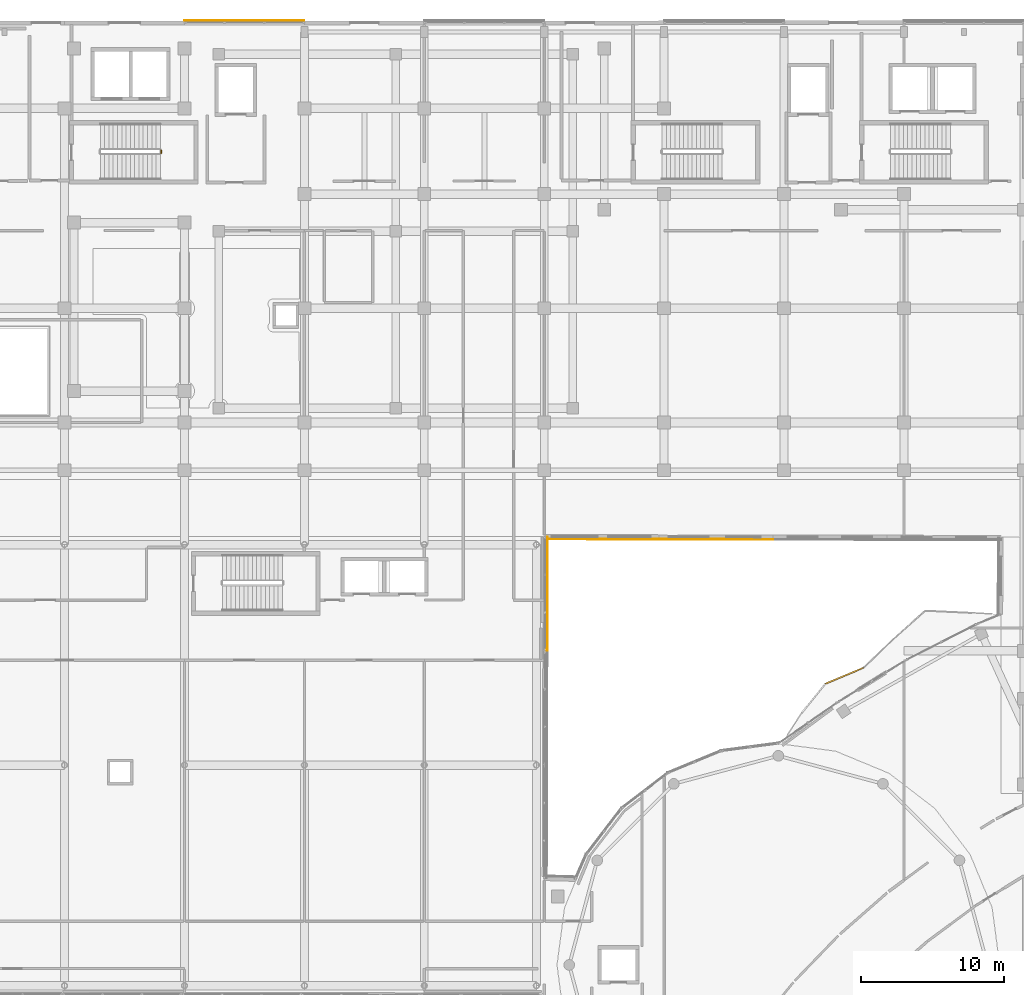
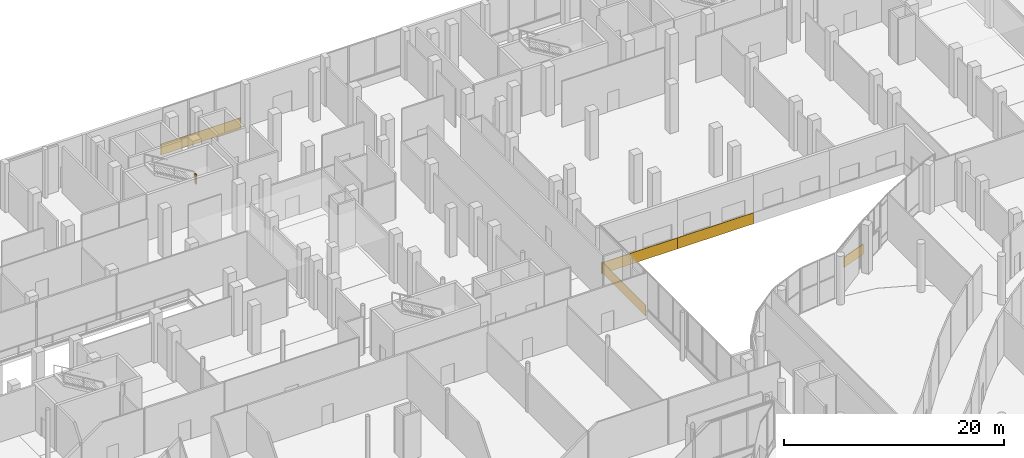
# One storey, part 154 of 158: 5 coverings, 1 railing.
"""IFC4 building model written with IfcOpenShell, lengths in metres."""

from ifc_helpers import new_model, si_unit, direction, frame, origin, origin_2d, place, context, subcontext, project, spatial, polyline, rectangle, outline, extrude, material, layer, layer_set, type_object, element, save


model = new_model("IFC4")

# Units and contexts
model_context = context("Model", 3, precision=1e-05, world=origin(), true_north=direction((0.0, 1.0)))
body_context = subcontext(model_context, "Body", "Model", "MODEL_VIEW")
ifc_project = project(units=[si_unit("LENGTHUNIT", "METRE"), si_unit("AREAUNIT", "SQUARE_METRE"), si_unit("VOLUMEUNIT", "CUBIC_METRE"), si_unit("PLANEANGLEUNIT", "RADIAN"), si_unit("MASSUNIT", "GRAM", prefix="KILO")], contexts=[model_context])

# Site, building, storey
site_placement = place(None, origin())
site = spatial("IfcSite", under=ifc_project, at=site_placement, CompositionType="ELEMENT")
building_placement = place(site_placement, origin())
building = spatial("IfcBuilding", under=site, at=building_placement, Name="Selatvlak General Hospital", CompositionType="ELEMENT")
storey_placement = place(building_placement, origin())
storey = spatial("IfcBuildingStorey", under=building, at=storey_placement, Name="L00", CompositionType="ELEMENT", Elevation=0.0)

# Coverings
ifc_material_1 = material(Name="PVDF aluminium fascia - oxide red", Category="aluminium")
ifc_layer_1 = layer(ifc_material_1, 0.070068359375, Name="PVDF aluminium fascia - oxide red", Category="aluminium")
ifc_layer_set_1 = layer_set([ifc_layer_1], Name="PVDF aluminium fascia - oxide red")
covering_type_1 = type_object("IfcCoveringType", Name="COV-RB-RED", PredefinedType="CLADDING", material=ifc_layer_set_1)
covering_1_placement = place(storey_placement, frame((103.946044921875, 74.81591796875, -0.41796875), z_axis=(0.0, 0.0, 1.0), x_axis=(-0.921241508574, -0.388991108999, 0.0)))
element("IfcCovering", 1, at=covering_1_placement, inside=storey, type_object=covering_type_1, Name="L00 De Stijl waving fascia streamer 086", PredefinedType="CLADDING", context=body_context, shape_type="SweptSolid", body=[
    extrude(outline(polyline([(0.0, 0.0), (2.897216796875, 0.14794921875), (2.897216796875, 1.287841796875), (0.0, 1.139892578125), (0.0, 0.0)])), frame((0.0, 0.03515625, 0.0), z_axis=(0.0, -1.0, 0.0), x_axis=(1.0, 0.0, 0.0)), (0.0, 0.0, 1.0), 0.070068359375),
])
ifc_material_2 = material(Name="White Bauhaus fair-faced cladding panel")
ifc_layer_2 = layer(ifc_material_2, 0.054931640625, Name="White Bauhaus fair-faced cladding panel")
ifc_layer_set_2 = layer_set([ifc_layer_2], Name="White Bauhaus fair-faced cladding panel")
covering_type_2 = type_object("IfcCoveringType", Name="COV-WHT1", PredefinedType="CLADDING", material=ifc_layer_set_2)
covering_2_placement = place(storey_placement, frame((60.60009765625, 120.1640625, -0.27978515625), z_axis=(0.0, 0.0, 1.0), x_axis=(1.0, 0.0, 0.0)))
element("IfcCovering", 2, at=covering_2_placement, inside=storey, type_object=covering_type_2, Name="L00 Bauhaus horizontal white spandrel band 0007", PredefinedType="CLADDING", context=body_context, shape_type="SweptSolid", body=[
    extrude(rectangle(XDim=8.39990234375, YDim=0.054931640625, at=origin_2d()), origin(), (0.0, 0.0, 1.0), 1.219970703125),
])
for number, where, z_axis, x_axis, name in (
    (3, (93.636962890625, 83.81298828125, -0.27978515625), (0.0, 0.0, 1.0), (-0.999998223472, 0.001884954476, 0.0), "L00 Bauhaus horizontal white spandrel band 0037"),
    (4, (85.652099609375, 83.827880859375, -0.27978515625), (0.0, 0.0, 1.0), (-0.999998223472, 0.001884954476, 0.0), "L00 Bauhaus horizontal white spandrel band 0038"),
):
    element("IfcCovering", number, at=place(storey_placement, frame(where, z_axis=z_axis, x_axis=x_axis)), inside=storey, type_object=covering_type_2, Name=name, PredefinedType="CLADDING", context=body_context, shape_type="SweptSolid", body=[
        extrude(rectangle(XDim=7.985107421875, YDim=0.054931640625, at=origin_2d()), origin(), (0.0, 0.0, 1.0), 1.219970703125),
    ])
covering_3_placement = place(storey_placement, frame((81.81494140625, 80.010009765625, -0.27978515625), z_axis=(0.0, 0.0, 1.0), x_axis=(-0.002513271477, -0.999996841728, 0.0)))
element("IfcCovering", 5, at=covering_3_placement, inside=storey, type_object=covering_type_2, Name="L00 Bauhaus horizontal white spandrel band 0039", PredefinedType="CLADDING", context=body_context, shape_type="SweptSolid", body=[
    extrude(rectangle(XDim=7.97998046875, YDim=0.054931640625, at=origin_2d()), origin(), (0.0, 0.0, 1.0), 1.219970703125),
])

# Railing
ifc_material_3 = material(Name="Stainless steel 316 stair guard", Category="steel")
railing_type = type_object("IfcRailingType", Name="RAIL-STG", PredefinedType="GUARDRAIL", material=ifc_material_3)
railing_placement = place(storey_placement, frame((54.760009765625, 110.860107421875, 2.699951171875)))
element("IfcRailing", 6, at=railing_placement, inside=storey, type_object=railing_type, Name="L00 ST-01 stair guard 2", PredefinedType="GUARDRAIL", context=body_context, shape_type="SweptSolid", body=[
    extrude(rectangle(XDim=0.068115234375, YDim=0.068115234375, at=origin_2d()), frame((0.0, 0.0029296875, 1.06591796875), z_axis=(0.0, 1.0, 0.0), x_axis=(-1.0, 0.0, 0.0)), (0.0, 0.0, 1.0), 0.214111328125),
    extrude(rectangle(XDim=0.068115234375, YDim=0.068115234375, at=origin_2d()), frame((0.0, 0.0029296875, 0.049072265625), z_axis=(0.0, 1.0, 0.0), x_axis=(-1.0, 0.0, 0.0)), (0.0, 0.0, 1.0), 0.214111328125),
    extrude(rectangle(XDim=0.055908203125, YDim=0.055908203125, at=origin_2d()), origin(), (0.0, 0.0, 1.0), 1.029052734375),
    extrude(rectangle(XDim=0.055908203125, YDim=0.055908203125, at=origin_2d()), frame((0.0, 0.219970703125, 0.0)), (0.0, 0.0, 1.0), 1.029052734375),
])

save(model, "model.ifc")
